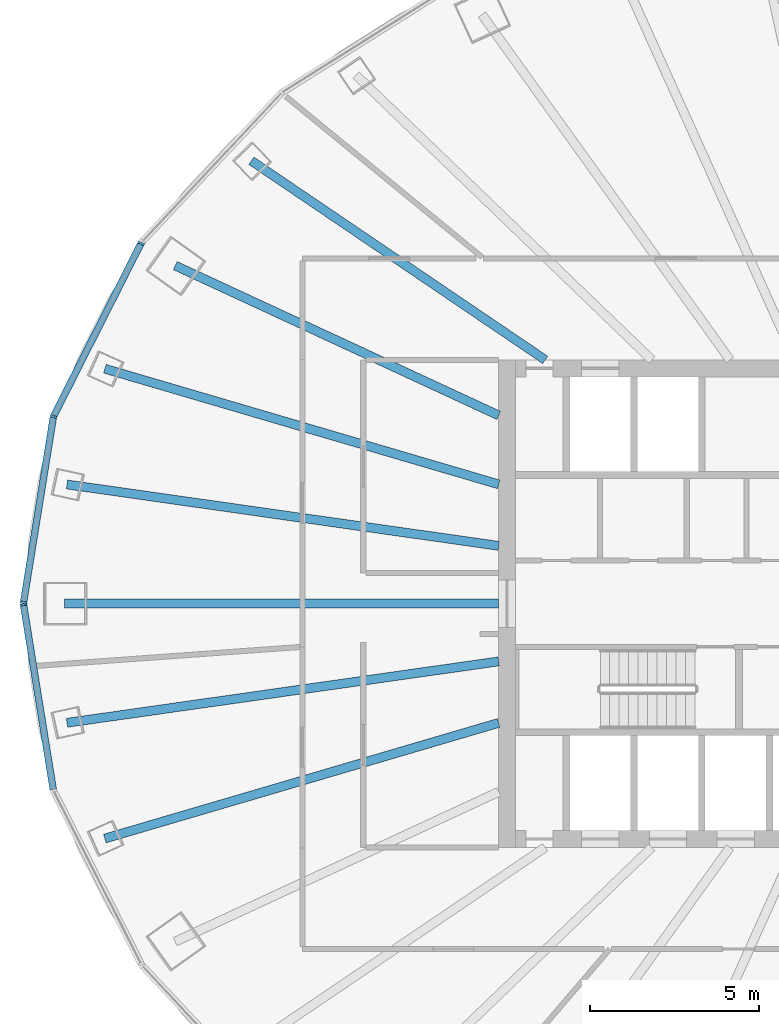
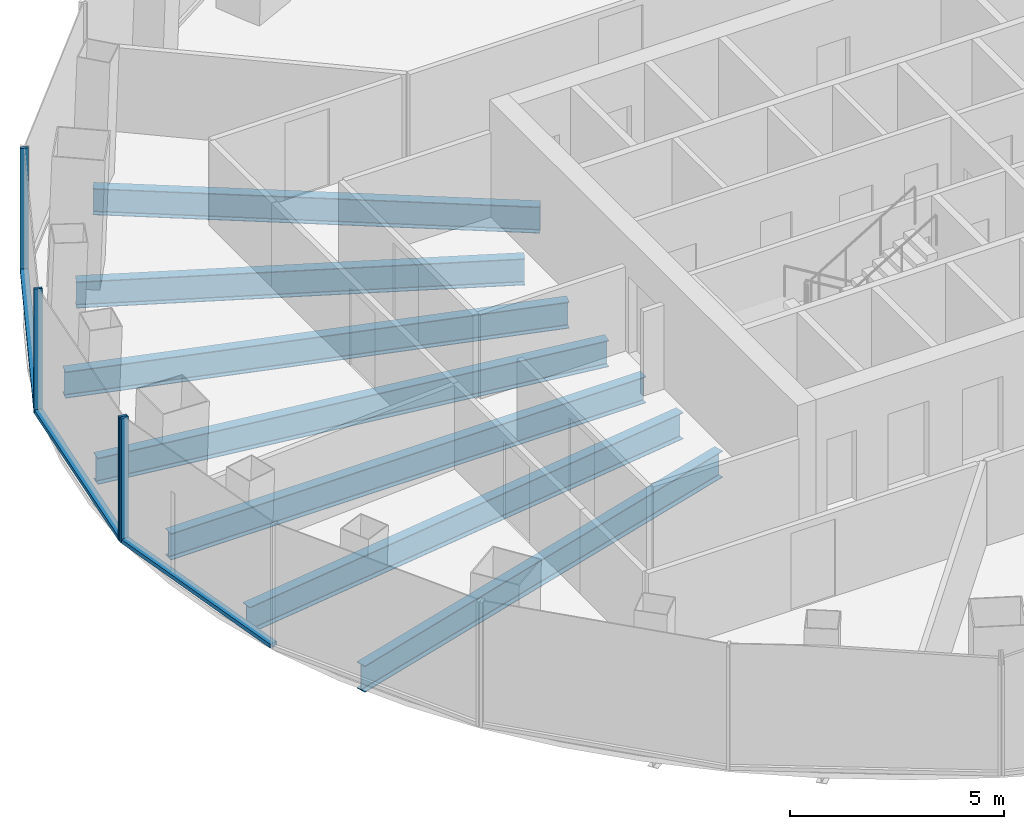
# One storey, part 3 of 12: 7 beams, 7 members, 2 elements without a shape of their own.
"""IFC4 building model written with IfcOpenShell, lengths in metres."""

from ifc_helpers import new_model, si_unit, direction, frame, origin, origin_2d, place, context, subcontext, project, spatial, rectangle, i_section, extrude, material, layer, layer_set, material_profile, profile_set, type_object, element, aggregate, save


model = new_model("IFC4")

# Units and contexts
model_context = context("Model", 3, precision=1e-05, world=origin(), true_north=direction((0.0, 1.0)))
body_context = subcontext(model_context, "Body", "Model", "MODEL_VIEW")
ifc_project = project(units=[si_unit("LENGTHUNIT", "METRE"), si_unit("AREAUNIT", "SQUARE_METRE"), si_unit("VOLUMEUNIT", "CUBIC_METRE"), si_unit("PLANEANGLEUNIT", "RADIAN"), si_unit("MASSUNIT", "GRAM", prefix="KILO")], contexts=[model_context])

# Site, building, storey
site_placement = place(None, origin())
site = spatial("IfcSite", under=ifc_project, at=site_placement, CompositionType="ELEMENT")
building_placement = place(site_placement, origin())
building = spatial("IfcBuilding", under=site, at=building_placement, Name="Siaravel Broadcast Tower", CompositionType="ELEMENT")
storey_placement = place(building_placement, frame((0.0, 0.0, 104.5)))
storey = spatial("IfcBuildingStorey", under=building, at=storey_placement, Name="L24", CompositionType="ELEMENT", Elevation=104.5)

# Beams
ifc_material_1 = material(Name="Steel S355", Category="steel")
ifc_material_profile_1 = material_profile(ifc_material_1, i_section(OverallWidth=0.26513671875, OverallDepth=0.75390625, WebThickness=0.0126953125, FlangeThickness=0.017578125, FilletRadius=0.0166015625, at=origin_2d()))
ifc_profile_set_1 = profile_set([ifc_material_profile_1], Name="Steel S355")
beam_type = type_object("IfcBeamType", Name="BM-UB 762x267x147", PredefinedType="BEAM", material=ifc_profile_set_1)
beam_1_placement = place(storey_placement, frame((-19.30126953125, 13.07763671875, -0.52685546875), z_axis=(0.827865291, -0.560926964, 0.0), x_axis=(0.560926964, 0.827865291, 0.0)))
element("IfcBeam", 1, at=beam_1_placement, inside=storey, type_object=beam_type, Name="Radial beam RB15", PredefinedType="BEAM", context=body_context, shape_type="SweptSolid", body=[
    extrude(i_section(OverallWidth=0.26513671875, OverallDepth=0.75390625, WebThickness=0.0126953125, FlangeThickness=0.017578125, FilletRadius=0.0166015625, at=origin_2d()), origin(), (0.0, 0.0, 1.0), 10.478515625),
])
beam_2_placement = place(storey_placement, frame((-21.552978515625, 9.984130859375, -0.52685546875), z_axis=(0.90737209, -0.420328312, 0.0), x_axis=(0.420328312, 0.90737209, 0.0)))
element("IfcBeam", 2, at=beam_2_placement, inside=storey, type_object=beam_type, Name="Radial beam RB16", PredefinedType="BEAM", context=body_context, shape_type="SweptSolid", body=[
    extrude(i_section(OverallWidth=0.26513671875, OverallDepth=0.75390625, WebThickness=0.0126953125, FlangeThickness=0.017578125, FilletRadius=0.0166015625, at=origin_2d()), origin(), (0.0, 0.0, 1.0), 10.528076171875),
])
beam_3_placement = place(storey_placement, frame((-23.630859375, 6.938232421875, -0.52685546875), z_axis=(0.959494967, -0.281725768, 0.0), x_axis=(0.281725768, 0.959494967, 0.0)))
element("IfcBeam", 3, at=beam_3_placement, inside=storey, type_object=beam_type, Name="Radial beam RB17", PredefinedType="BEAM", context=body_context, shape_type="SweptSolid", body=[
    extrude(i_section(OverallWidth=0.26513671875, OverallDepth=0.75390625, WebThickness=0.0126953125, FlangeThickness=0.017578125, FilletRadius=0.0166015625, at=origin_2d()), origin(), (0.0, 0.0, 1.0), 12.121826171875),
])
beam_4_placement = place(storey_placement, frame((-24.74951171875, 3.519287109375, -0.52685546875), z_axis=(0.990040289, -0.140784328, 0.0), x_axis=(0.140784328, 0.990040289, 0.0)))
element("IfcBeam", 4, at=beam_4_placement, inside=storey, type_object=beam_type, Name="Radial beam RB18", PredefinedType="BEAM", context=body_context, shape_type="SweptSolid", body=[
    extrude(i_section(OverallWidth=0.26513671875, OverallDepth=0.75390625, WebThickness=0.0126953125, FlangeThickness=0.017578125, FilletRadius=0.0166015625, at=origin_2d()), origin(), (0.0, 0.0, 1.0), 12.877685546875),
])
beam_5_placement = place(storey_placement, frame((-24.825439453125, 0.0, -0.52685546875), z_axis=(1.0, 0.0, 0.0), x_axis=(0.0, 1.0, 0.0)))
element("IfcBeam", 5, at=beam_5_placement, inside=storey, type_object=beam_type, Name="Radial beam RB19", PredefinedType="BEAM", context=body_context, shape_type="SweptSolid", body=[
    extrude(i_section(OverallWidth=0.26513671875, OverallDepth=0.75390625, WebThickness=0.0126953125, FlangeThickness=0.017578125, FilletRadius=0.0166015625, at=origin_2d()), origin(), (0.0, 0.0, 1.0), 12.825439453125),
])
beam_6_placement = place(storey_placement, frame((-24.74951171875, -3.519287109375, -0.52685546875), z_axis=(0.990040289, 0.140784328, 0.0), x_axis=(-0.140784328, 0.990040289, 0.0)))
element("IfcBeam", 6, at=beam_6_placement, inside=storey, type_object=beam_type, Name="Radial beam RB20", PredefinedType="BEAM", context=body_context, shape_type="SweptSolid", body=[
    extrude(i_section(OverallWidth=0.26513671875, OverallDepth=0.75390625, WebThickness=0.0126953125, FlangeThickness=0.017578125, FilletRadius=0.0166015625, at=origin_2d()), origin(), (0.0, 0.0, 1.0), 12.877685546875),
])
beam_7_placement = place(storey_placement, frame((-23.630859375, -6.938232421875, -0.52685546875), z_axis=(0.959494967, 0.281725768, 0.0), x_axis=(-0.281725768, 0.959494967, 0.0)))
element("IfcBeam", 7, at=beam_7_placement, inside=storey, type_object=beam_type, Name="Radial beam RB21", PredefinedType="BEAM", context=body_context, shape_type="SweptSolid", body=[
    extrude(i_section(OverallWidth=0.26513671875, OverallDepth=0.75390625, WebThickness=0.0126953125, FlangeThickness=0.017578125, FilletRadius=0.0166015625, at=origin_2d()), origin(), (0.0, 0.0, 1.0), 12.121826171875),
])

# Curtain wall, members
ifc_material_2 = material(Name="Aluminium 6063-T6", Category="aluminium")
ifc_layer = layer(ifc_material_2, 0.199951171875)
ifc_layer_set = layer_set([ifc_layer], Name="Aluminium 6063-T6")
curtain_wall_type = type_object("IfcCurtainWallType", Name="Unitised curtain wall, zone 2", PredefinedType="NOTDEFINED", material=ifc_layer_set)
curtain_wall_1_placement = place(storey_placement, origin())
curtain_wall_1 = element("IfcCurtainWall", 8, at=curtain_wall_1_placement, inside=storey, type_object=curtain_wall_type, Name="L24 Unitised curtain wall, zone 2 06", PredefinedType="NOTDEFINED")
ifc_material_profile_2 = material_profile(ifc_material_2, rectangle(XDim=0.199951171875, YDim=0.06494140625, at=origin_2d()))
ifc_profile_set_2 = profile_set([ifc_material_profile_2], Name="Aluminium 6063-T6")
member_type_1 = type_object("IfcMemberType", Name="CW-Z2 mullion", PredefinedType="MULLION", material=ifc_profile_set_2)
member_1_placement = place(storey_placement, frame((-22.56298828125, 10.64404296875, 0.0), z_axis=(0.0, 0.0, 1.0), x_axis=(0.892391822, -0.451261384, 0.0)))
member_1 = element("IfcMember", 9, at=member_1_placement, type_object=member_type_1, Name="CW-Z2 mullion 1", PredefinedType="MULLION", context=body_context, shape_type="SweptSolid", body=[
    extrude(rectangle(XDim=0.199951171875, YDim=0.06494140625, at=origin_2d()), origin(), (0.0, 0.0, 1.0), 3.550048828125),
])
member_2_placement = place(storey_placement, frame((-25.151611328125, 5.525390625, 0.0), z_axis=(0.0, 0.0, 1.0), x_axis=(0.951177085, -0.308645676, 0.0)))
member_2 = element("IfcMember", 10, at=member_2_placement, type_object=member_type_1, Name="CW-Z2 mullion 2", PredefinedType="MULLION", context=body_context, shape_type="SweptSolid", body=[
    extrude(rectangle(XDim=0.199951171875, YDim=0.06494140625, at=origin_2d()), origin(), (0.0, 0.0, 1.0), 3.550048828125),
])
member_3_placement = place(storey_placement, frame((-26.0341796875, 0.031982421875, 0.0), z_axis=(0.0, 0.0, 1.0), x_axis=(0.987329139, -0.15868576, 0.0)))
member_3 = element("IfcMember", 11, at=member_3_placement, type_object=member_type_1, Name="CW-Z2 mullion 3", PredefinedType="MULLION", context=body_context, shape_type="SweptSolid", body=[
    extrude(rectangle(XDim=0.199951171875, YDim=0.06494140625, at=origin_2d()), origin(), (0.0, 0.0, 1.0), 3.550048828125),
])

# Curtain wall, member
curtain_wall_2_placement = place(storey_placement, origin())
curtain_wall_2 = element("IfcCurtainWall", 12, at=curtain_wall_2_placement, inside=storey, type_object=curtain_wall_type, Name="L24 Unitised curtain wall, zone 2 07", PredefinedType="NOTDEFINED")
member_4_placement = place(storey_placement, frame((-26.0341796875, -0.031982421875, 0.0), z_axis=(0.0, 0.0, 1.0), x_axis=(0.987329139, 0.15868576, 0.0)))
member_4 = element("IfcMember", 13, at=member_4_placement, type_object=member_type_1, Name="CW-Z2 mullion 1", PredefinedType="MULLION", context=body_context, shape_type="SweptSolid", body=[
    extrude(rectangle(XDim=0.199951171875, YDim=0.06494140625, at=origin_2d()), origin(), (0.0, 0.0, 1.0), 3.550048828125),
])

# Member
ifc_material_profile_3 = material_profile(ifc_material_2, rectangle(XDim=0.199951171875, YDim=0.110107421875, at=origin_2d()))
ifc_profile_set_3 = profile_set([ifc_material_profile_3], Name="Aluminium 6063-T6")
member_type_2 = type_object("IfcMemberType", Name="CW-Z2 transom", PredefinedType="USERDEFINED", material=ifc_profile_set_3)
member_5_placement = place(storey_placement, frame((-22.577880859375, 10.614990234375, 0.054931640625), z_axis=(-0.45123882, -0.892403231, 0.0), x_axis=(0.892403231, -0.45123882, 0.0)))
member_5 = element("IfcMember", 14, at=member_5_placement, type_object=member_type_2, Name="CW-Z2 transom 1", ObjectType="TRANSOM", PredefinedType="USERDEFINED", context=body_context, shape_type="SweptSolid", body=[
    extrude(rectangle(XDim=0.199951171875, YDim=0.110107421875, at=origin_2d()), origin(), (0.0, 0.0, 1.0), 5.670654296875),
])

member_6_placement = place(storey_placement, frame((-25.156494140625, 5.493408203125, 0.054931640625), z_axis=(-0.158722921, -0.987323166, 0.0), x_axis=(0.987323166, -0.158722921, 0.0)))
member_6 = element("IfcMember", 15, at=member_6_placement, type_object=member_type_2, Name="CW-Z2 transom 2", ObjectType="TRANSOM", PredefinedType="USERDEFINED", context=body_context, shape_type="SweptSolid", body=[
    extrude(rectangle(XDim=0.199951171875, YDim=0.110107421875, at=origin_2d()), origin(), (0.0, 0.0, 1.0), 5.4990234375),
])

aggregate(curtain_wall_1, [member_1, member_2, member_3, member_5, member_6])

member_7_placement = place(storey_placement, frame((-26.029296875, -0.064208984375, 0.054931640625), z_axis=(0.158722921, -0.987323166, 0.0), x_axis=(0.987323166, 0.158722921, 0.0)))
member_7 = element("IfcMember", 16, at=member_7_placement, type_object=member_type_2, Name="CW-Z2 transom 1", ObjectType="TRANSOM", PredefinedType="USERDEFINED", context=body_context, shape_type="SweptSolid", body=[
    extrude(rectangle(XDim=0.199951171875, YDim=0.110107421875, at=origin_2d()), origin(), (0.0, 0.0, 1.0), 5.4990234375),
])

aggregate(curtain_wall_2, [member_4, member_7])

save(model, "model.ifc")
